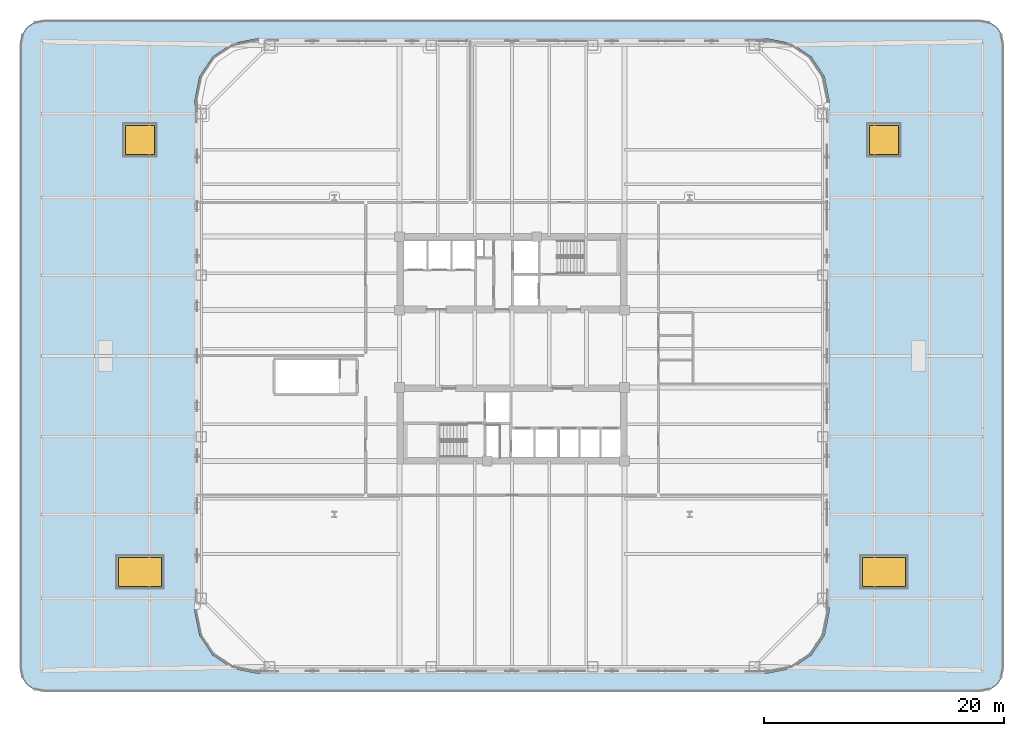
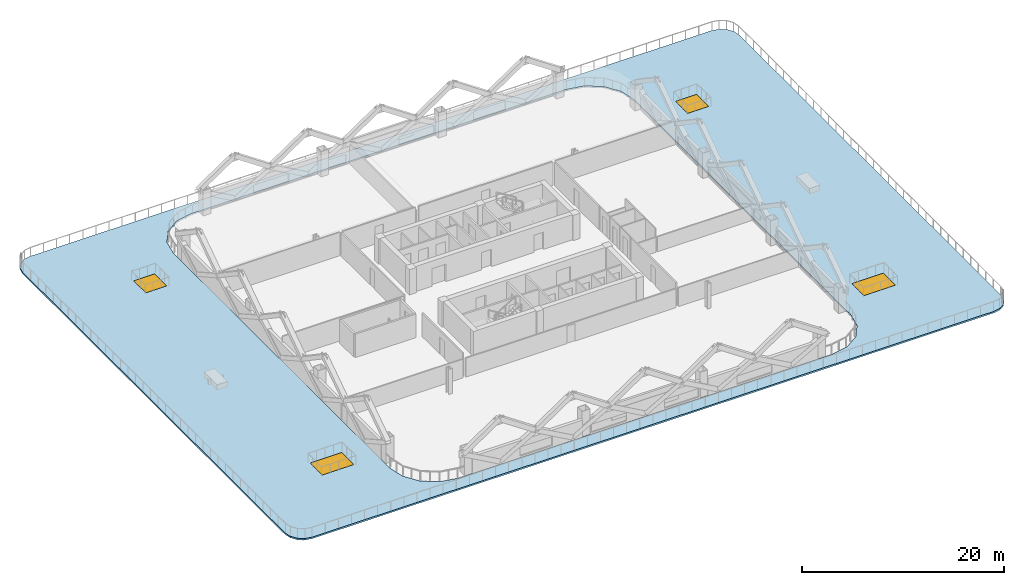
# One storey, part 5 of 17: 4 windows, 1 slab, 4 openings.
"""IFC4 building model written with IfcOpenShell, lengths in metres."""

from ifc_helpers import new_model, si_unit, direction, frame, origin, origin_2d, place, context, subcontext, project, spatial, polyline, rectangle, outline, extrude, material, layer, layer_set, type_object, element, fill, save


model = new_model("IFC4")

# Units and contexts
model_context = context("Model", 3, precision=1e-05, world=origin(), true_north=direction((0.0, 1.0)))
body_context = subcontext(model_context, "Body", "Model", "MODEL_VIEW")
ifc_project = project(units=[si_unit("LENGTHUNIT", "METRE"), si_unit("AREAUNIT", "SQUARE_METRE"), si_unit("VOLUMEUNIT", "CUBIC_METRE"), si_unit("PLANEANGLEUNIT", "RADIAN"), si_unit("MASSUNIT", "GRAM", prefix="KILO")], contexts=[model_context])

# Site, building, storey
site_placement = place(None, origin())
site = spatial("IfcSite", under=ifc_project, at=site_placement, CompositionType="ELEMENT")
building_placement = place(site_placement, origin())
building = spatial("IfcBuilding", under=site, at=building_placement, Name="Qhalaya Broadcast Tower", CompositionType="ELEMENT")
storey_placement = place(building_placement, frame((0.0, 0.0, 26.10009765625)))
storey = spatial("IfcBuildingStorey", under=building, at=storey_placement, Name="L06", CompositionType="ELEMENT", Elevation=26.10009765625)

# Slab, openings, windows
ifc_material_1 = material(Name="Concrete C40/50", Category="concrete")
ifc_layer = layer(ifc_material_1, 0.25, Name="Concrete C40/50")
ifc_layer_set = layer_set([ifc_layer], Name="Concrete C40/50")
slab_type = type_object("IfcSlabType", Name="Planted Sky-Garden & Sky-Pool External Terrace Slab 250", PredefinedType="FLOOR", material=ifc_layer_set)
slab_placement = place(storey_placement, frame((0.0, 0.0, -0.190185546875)))
slab = element("IfcSlab", 1, at=slab_placement, inside=storey, type_object=slab_type, Name="L06 Planted Sky Garden Terrace 1", PredefinedType="FLOOR", context=body_context, shape_type="SweptSolid", body=[
    extrude(outline(polyline([(39.0, -28.0), (39.765380859375, -27.847900390625), (40.414306640625, -27.414306640625), (40.847900390625, -26.765380859375), (41.0, -26.0), (41.0, 26.0), (40.847900390625, 26.765380859375), (40.414306640625, 27.414306640625), (39.765380859375, 27.847900390625), (39.0, 28.0), (-39.0, 28.0), (-39.765380859375, 27.847900390625), (-40.414306640625, 27.414306640625), (-40.847900390625, 26.765380859375), (-41.0, 26.0), (-41.0, -26.0), (-40.847900390625, -26.765380859375), (-40.414306640625, -27.414306640625), (-39.765380859375, -27.847900390625), (-39.0, -28.0), (39.0, -28.0)]), holes=[polyline([(21.39990234375, -26.404052734375), (-21.39990234375, -26.404052734375), (-21.400390625, -26.404052734375), (-21.40087890625, -26.40380859375), (-23.314208984375, -26.023193359375), (-23.314697265625, -26.023193359375), (-23.31494140625, -26.023193359375), (-23.315185546875, -26.02294921875), (-23.315673828125, -26.022705078125), (-24.937744140625, -24.938720703125), (-24.93798828125, -24.938720703125), (-24.938232421875, -24.938232421875), (-24.938720703125, -24.93798828125), (-24.938720703125, -24.937744140625), (-26.022705078125, -23.315673828125), (-26.02294921875, -23.315185546875), (-26.023193359375, -23.31494140625), (-26.023193359375, -23.314697265625), (-26.023193359375, -23.314208984375), (-26.40380859375, -21.40087890625), (-26.404052734375, -21.400390625), (-26.404052734375, -21.39990234375), (-26.404052734375, 21.39990234375), (-26.404052734375, 21.400390625), (-26.40380859375, 21.40087890625), (-26.023193359375, 23.314208984375), (-26.023193359375, 23.314697265625), (-26.023193359375, 23.31494140625), (-26.02294921875, 23.315185546875), (-26.022705078125, 23.315673828125), (-24.938720703125, 24.937744140625), (-24.938720703125, 24.93798828125), (-24.938232421875, 24.938232421875), (-24.93798828125, 24.938720703125), (-24.937744140625, 24.938720703125), (-23.315673828125, 26.022705078125), (-23.315185546875, 26.02294921875), (-23.31494140625, 26.023193359375), (-23.314697265625, 26.023193359375), (-23.314208984375, 26.023193359375), (-21.40087890625, 26.40380859375), (-21.400390625, 26.404052734375), (-21.39990234375, 26.404052734375), (21.39990234375, 26.404052734375), (21.400390625, 26.404052734375), (21.40087890625, 26.40380859375), (23.314208984375, 26.023193359375), (23.314697265625, 26.023193359375), (23.31494140625, 26.023193359375), (23.315185546875, 26.02294921875), (23.315673828125, 26.022705078125), (24.937744140625, 24.938720703125), (24.93798828125, 24.938720703125), (24.938232421875, 24.938232421875), (24.938720703125, 24.93798828125), (24.938720703125, 24.937744140625), (26.022705078125, 23.315673828125), (26.02294921875, 23.315185546875), (26.023193359375, 23.31494140625), (26.023193359375, 23.314697265625), (26.023193359375, 23.314208984375), (26.40380859375, 21.40087890625), (26.404052734375, 21.400390625), (26.404052734375, 21.39990234375), (26.404052734375, -21.39990234375), (26.404052734375, -21.400390625), (26.40380859375, -21.40087890625), (26.023193359375, -23.314208984375), (26.023193359375, -23.314697265625), (26.023193359375, -23.31494140625), (26.02294921875, -23.315185546875), (26.022705078125, -23.315673828125), (24.938720703125, -24.937744140625), (24.938720703125, -24.93798828125), (24.938232421875, -24.938232421875), (24.93798828125, -24.938720703125), (24.937744140625, -24.938720703125), (23.315673828125, -26.022705078125), (23.315185546875, -26.02294921875), (23.31494140625, -26.023193359375), (23.314697265625, -26.023193359375), (23.314208984375, -26.023193359375), (21.40087890625, -26.40380859375), (21.400390625, -26.404052734375), (21.39990234375, -26.404052734375)])]), origin(), (0.0, 0.0, 1.0), 0.190185546875),
])
opening_1_placement = place(slab_placement, frame((-31.0, -18.0, 0.0), z_axis=(0.0, 0.0, 1.0), x_axis=(1.0, 0.0, 0.0)))
opening_1 = element("IfcOpeningElement", 2, at=opening_1_placement, cuts=slab, Name="Opening SK1", PredefinedType="OPENING", context=body_context, shape_type="SweptSolid", body=[
    extrude(rectangle(XDim=3.60009765625, YDim=2.39990234375, at=origin_2d()), origin(), (0.0, 0.0, 1.0), 0.190185546875),
])
opening_2_placement = place(slab_placement, frame((31.0, -18.0, 0.0), z_axis=(0.0, 0.0, 1.0), x_axis=(1.0, 0.0, 0.0)))
opening_2 = element("IfcOpeningElement", 3, at=opening_2_placement, cuts=slab, Name="Opening SK1", PredefinedType="OPENING", context=body_context, shape_type="SweptSolid", body=[
    extrude(rectangle(XDim=3.60009765625, YDim=2.39990234375, at=origin_2d()), origin(), (0.0, 0.0, 1.0), 0.190185546875),
])
opening_3_placement = place(slab_placement, frame((-31.0, 18.0, 0.0), z_axis=(0.0, 0.0, 1.0), x_axis=(1.0, 0.0, 0.0)))
opening_3 = element("IfcOpeningElement", 4, at=opening_3_placement, cuts=slab, Name="Opening SK2", PredefinedType="OPENING", context=body_context, shape_type="SweptSolid", body=[
    extrude(rectangle(XDim=2.39990234375, YDim=2.39990234375, at=origin_2d()), origin(), (0.0, 0.0, 1.0), 0.190185546875),
])
opening_4_placement = place(slab_placement, frame((31.0, 18.0, 0.0), z_axis=(0.0, 0.0, 1.0), x_axis=(1.0, 0.0, 0.0)))
opening_4 = element("IfcOpeningElement", 5, at=opening_4_placement, cuts=slab, Name="Opening SK2", PredefinedType="OPENING", context=body_context, shape_type="SweptSolid", body=[
    extrude(rectangle(XDim=2.39990234375, YDim=2.39990234375, at=origin_2d()), origin(), (0.0, 0.0, 1.0), 0.190185546875),
])
ifc_material_2 = material(Name="Solar-Control Low-E Triple Glazing", Category="glass")
window_type_1 = type_object("IfcWindowType", Name="Concourse Structural Glass Skylight SK1", PartitioningType="SINGLE_PANEL", PredefinedType="SKYLIGHT", material=ifc_material_2)
window_1_placement = place(opening_1_placement, frame((0.0, 0.0, 0.14013671875)))
window_1 = element("IfcWindow", 6, at=window_1_placement, inside=storey, type_object=window_type_1, Name="Podium Concourse Skylight SK1-01", OverallHeight=2.39990234375, OverallWidth=3.60009765625, PartitioningType="SINGLE_PANEL", PredefinedType="SKYLIGHT", context=body_context, shape_type="SweptSolid", body=[
    extrude(rectangle(XDim=3.60009765625, YDim=2.39990234375, at=origin_2d()), origin(), (0.0, 0.0, 1.0), 0.050048828125),
])
fill(opening_1, window_1)
window_2_placement = place(opening_2_placement, frame((0.0, 0.0, 0.14013671875)))
window_2 = element("IfcWindow", 7, at=window_2_placement, inside=storey, type_object=window_type_1, Name="Podium Concourse Skylight SK1-02", OverallHeight=2.39990234375, OverallWidth=3.60009765625, PartitioningType="SINGLE_PANEL", PredefinedType="SKYLIGHT", context=body_context, shape_type="SweptSolid", body=[
    extrude(rectangle(XDim=3.60009765625, YDim=2.39990234375, at=origin_2d()), origin(), (0.0, 0.0, 1.0), 0.050048828125),
])
fill(opening_2, window_2)
window_type_2 = type_object("IfcWindowType", Name="Podium Roof Daylight Skylight SK2", PartitioningType="SINGLE_PANEL", PredefinedType="SKYLIGHT", material=ifc_material_2)
window_3_placement = place(opening_3_placement, frame((0.0, 0.0, 0.14013671875)))
window_3 = element("IfcWindow", 8, at=window_3_placement, inside=storey, type_object=window_type_2, Name="Podium Concourse Skylight SK2-03", OverallHeight=2.39990234375, OverallWidth=2.39990234375, PartitioningType="SINGLE_PANEL", PredefinedType="SKYLIGHT", context=body_context, shape_type="SweptSolid", body=[
    extrude(rectangle(XDim=2.39990234375, YDim=2.39990234375, at=origin_2d()), origin(), (0.0, 0.0, 1.0), 0.050048828125),
])
fill(opening_3, window_3)
window_4_placement = place(opening_4_placement, frame((0.0, 0.0, 0.14013671875)))
window_4 = element("IfcWindow", 9, at=window_4_placement, inside=storey, type_object=window_type_2, Name="Podium Concourse Skylight SK2-04", OverallHeight=2.39990234375, OverallWidth=2.39990234375, PartitioningType="SINGLE_PANEL", PredefinedType="SKYLIGHT", context=body_context, shape_type="SweptSolid", body=[
    extrude(rectangle(XDim=2.39990234375, YDim=2.39990234375, at=origin_2d()), origin(), (0.0, 0.0, 1.0), 0.050048828125),
])
fill(opening_4, window_4)

save(model, "model.ifc")
